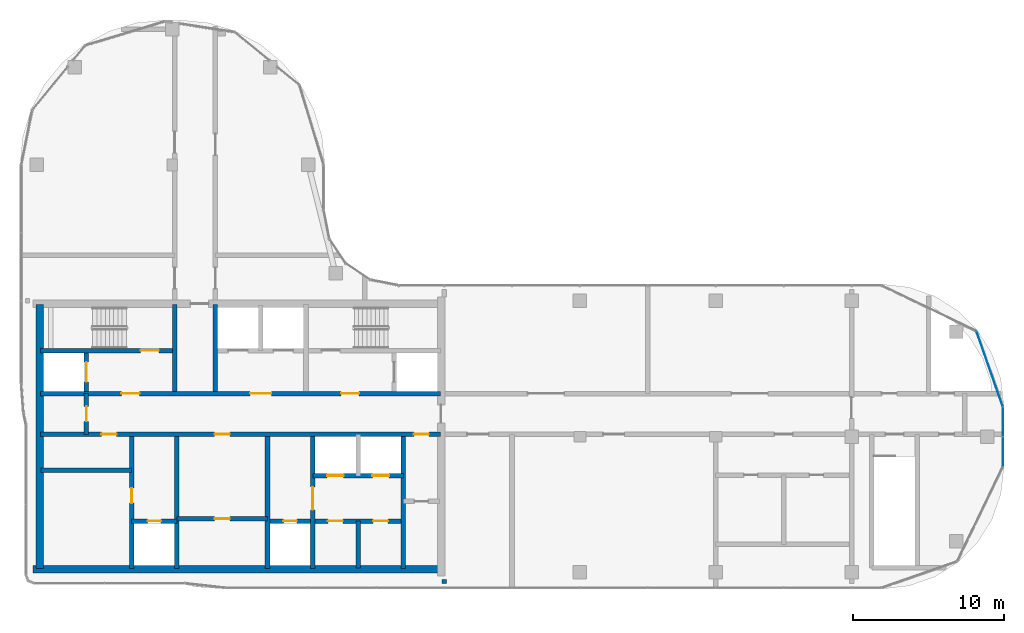
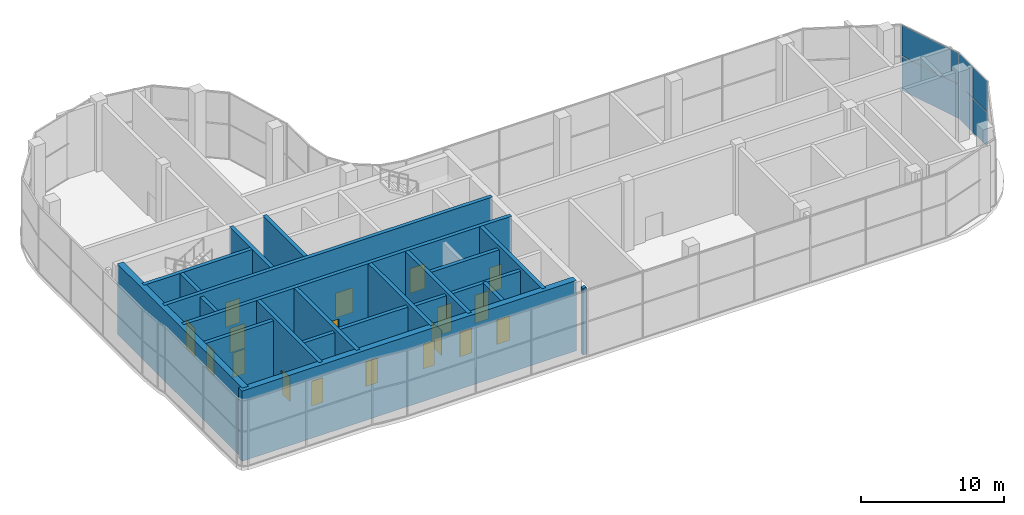
# One storey, part 16 of 21: 21 walls, 18 doors, 6 plates, 18 openings, 2 elements without a shape of their own.
"""IFC4 building model written with IfcOpenShell, lengths in metres."""

from ifc_helpers import new_model, si_unit, direction, frame, frame_2d, origin, origin_2d, place, context, subcontext, project, spatial, rectangle, extrude, material, layer, layer_set, type_object, element, fill, aggregate, save


model = new_model("IFC4")

# Units and contexts
model_context = context("Model", 3, precision=1e-05, world=origin(), true_north=direction((0.0, 1.0)))
body_context = subcontext(model_context, "Body", "Model", "MODEL_VIEW")
ifc_project = project(units=[si_unit("LENGTHUNIT", "METRE"), si_unit("AREAUNIT", "SQUARE_METRE"), si_unit("VOLUMEUNIT", "CUBIC_METRE"), si_unit("PLANEANGLEUNIT", "RADIAN"), si_unit("MASSUNIT", "GRAM", prefix="KILO")], contexts=[model_context])

# Site, building, storey
site_placement = place(None, origin())
site = spatial("IfcSite", under=ifc_project, at=site_placement, CompositionType="ELEMENT")
building_placement = place(site_placement, origin())
building = spatial("IfcBuilding", under=site, at=building_placement, Name="Ogive Portal Towers", CompositionType="ELEMENT")
storey_placement = place(building_placement, frame((0.0, 0.0, 266.89990234375)))
storey = spatial("IfcBuildingStorey", under=building, at=storey_placement, Name="L65", CompositionType="ELEMENT", Elevation=266.89990234375)

# Curtain wall, plates
ifc_material_1 = material(Name="Glass, clear low-iron insulated glazing", Category="glass")
curtain_wall_type = type_object("IfcCurtainWallType", Name="CW OBSERVATION WALL", PredefinedType="NOTDEFINED", material=ifc_material_1)
curtain_wall_1_placement = place(storey_placement, origin())
curtain_wall_1 = element("IfcCurtainWall", 1, at=curtain_wall_1_placement, inside=storey, type_object=curtain_wall_type, Name="A:L65:f08:cw0", PredefinedType="NOTDEFINED")
ifc_layer_1 = layer(ifc_material_1, 0.028076171875)
ifc_layer_set_1 = layer_set([ifc_layer_1], Name="CW PANEL IGU 28")
plate_type = type_object("IfcPlateType", Name="CW PANEL IGU 28", PredefinedType="CURTAIN_PANEL", material=ifc_layer_set_1)
plate_1_placement = place(storey_placement, frame((95.52001953125, 29.509033203125, 0.06005859375), z_axis=(0.0, 0.0, 1.0), x_axis=(0.0, 1.0, 0.0)))
plate_1 = element("IfcPlate", 2, at=plate_1_placement, type_object=plate_type, Name="panel", PredefinedType="CURTAIN_PANEL", context=body_context, shape_type="SweptSolid", body=[
    extrude(rectangle(XDim=1.921630859375, YDim=0.028076171875, at=origin_2d()), origin(), (0.0, 0.0, 1.0), 2.909912109375),
])
plate_2_placement = place(storey_placement, frame((95.52001953125, 29.509033203125, 3.0302734375), z_axis=(0.0, 0.0, 1.0), x_axis=(0.0, 1.0, 0.0)))
plate_2 = element("IfcPlate", 3, at=plate_2_placement, type_object=plate_type, Name="panel", PredefinedType="CURTAIN_PANEL", context=body_context, shape_type="SweptSolid", body=[
    extrude(rectangle(XDim=1.921630859375, YDim=0.028076171875, at=origin_2d()), origin(), (0.0, 0.0, 1.0), 2.610107421875),
])
plate_3_placement = place(storey_placement, frame((95.52001953125, 31.4931640625, 0.06005859375), z_axis=(0.0, 0.0, 1.0), x_axis=(0.0, 1.0, 0.0)))
plate_3 = element("IfcPlate", 4, at=plate_3_placement, type_object=plate_type, Name="panel", PredefinedType="CURTAIN_PANEL", context=body_context, shape_type="SweptSolid", body=[
    extrude(rectangle(XDim=1.926513671875, YDim=0.028076171875, at=origin_2d()), origin(), (0.0, 0.0, 1.0), 2.909912109375),
])
plate_4_placement = place(storey_placement, frame((95.52001953125, 31.4931640625, 3.0302734375), z_axis=(0.0, 0.0, 1.0), x_axis=(0.0, 1.0, 0.0)))
plate_4 = element("IfcPlate", 5, at=plate_4_placement, type_object=plate_type, Name="panel", PredefinedType="CURTAIN_PANEL", context=body_context, shape_type="SweptSolid", body=[
    extrude(rectangle(XDim=1.926513671875, YDim=0.028076171875, at=origin_2d()), origin(), (0.0, 0.0, 1.0), 2.610107421875),
])
aggregate(curtain_wall_1, [plate_1, plate_2, plate_3, plate_4])

curtain_wall_2_placement = place(storey_placement, origin())
curtain_wall_2 = element("IfcCurtainWall", 6, at=curtain_wall_2_placement, inside=storey, type_object=curtain_wall_type, Name="A:L65:f09:cwa", PredefinedType="NOTDEFINED")
plate_5_placement = place(storey_placement, frame((94.64404296875, 34.989501953125, 0.06005859375), z_axis=(0.0, 0.0, 1.0), x_axis=(-0.33027906196, 0.943883330307, 0.0)))
plate_5 = element("IfcPlate", 7, at=plate_5_placement, type_object=plate_type, Name="panel", PredefinedType="CURTAIN_PANEL", context=body_context, shape_type="SweptSolid", body=[
    extrude(rectangle(XDim=5.243896484375, YDim=0.028076171875, at=origin_2d()), origin(), (0.0, 0.0, 1.0), 2.909912109375),
])
plate_6_placement = place(storey_placement, frame((94.64404296875, 34.989501953125, 3.0302734375), z_axis=(0.0, 0.0, 1.0), x_axis=(-0.33027906196, 0.943883330307, 0.0)))
plate_6 = element("IfcPlate", 8, at=plate_6_placement, type_object=plate_type, Name="panel", PredefinedType="CURTAIN_PANEL", context=body_context, shape_type="SweptSolid", body=[
    extrude(rectangle(XDim=5.243896484375, YDim=0.028076171875, at=origin_2d()), origin(), (0.0, 0.0, 1.0), 2.610107421875),
])
aggregate(curtain_wall_2, [plate_5, plate_6])

# Wall, opening, door
ifc_material_2 = material(Name="Concrete C60/75", Category="concrete")
ifc_layer_2 = layer(ifc_material_2, 0.300048828125)
ifc_layer_set_2 = layer_set([ifc_layer_2], Name="CORE WALL 300 C60")
wall_type_1 = type_object("IfcWallType", Name="CORE WALL 300 C60", PredefinedType="SHEAR", material=ifc_layer_set_2)
wall_1_placement = place(storey_placement, frame((37.800048828125, 21.75, 0.0), z_axis=(0.0, 0.0, 1.0), x_axis=(0.0, 1.0, 0.0)))
wall_1 = element("IfcWall", 9, at=wall_1_placement, inside=storey, type_object=wall_type_1, Name="Core wall X1 L65", PredefinedType="SHEAR", context=body_context, shape_type="SweptSolid", body=[
    extrude(rectangle(XDim=8.75, YDim=0.300048828125, at=frame_2d((4.375, 0.0))), origin(), (0.0, 0.0, 1.0), 6.0),
])
opening_1_placement = place(wall_1_placement, frame((4.337890625, 0.0, 0.0)))
opening_1 = element("IfcOpeningElement", 10, at=opening_1_placement, cuts=wall_1, Name="Opening D31-020", PredefinedType="OPENING", context=body_context, shape_type="SweptSolid", body=[
    extrude(rectangle(XDim=1.0, YDim=2.10009765625, at=frame_2d((0.5, 1.050048828125))), frame((0.0, 0.16015625, 0.0), z_axis=(0.0, -1.0, 0.0), x_axis=(1.0, 0.0, 0.0)), (0.0, 0.0, 1.0), 0.320068359375),
])
ifc_material_3 = material(Name="Steel fire door", Category="steel")
door_type_1 = type_object("IfcDoorType", Name="DT-SWING-1000x2100-FD90S", OperationType="SINGLE_SWING_LEFT", PredefinedType="DOOR", material=ifc_material_3)
door_1_placement = place(opening_1_placement, origin())
door_1 = element("IfcDoor", 11, at=door_1_placement, inside=storey, type_object=door_type_1, Name="Door D31-020", OperationType="SINGLE_SWING_RIGHT", OverallHeight=2.10009765625, OverallWidth=1.0, PredefinedType="DOOR", context=body_context, shape_type="SweptSolid", body=[
    extrude(rectangle(XDim=1.0, YDim=2.10009765625, at=frame_2d((0.5, 1.050048828125))), frame((0.0, 0.02490234375, 0.0), z_axis=(0.0, -1.0, 0.0), x_axis=(1.0, 0.0, 0.0)), (0.0, 0.0, 1.0), 0.050048828125),
])
fill(opening_1, door_1)

# Walls
for number, where, z_axis, x_axis, name in (
    (12, (40.800048828125, 21.75, 0.0), (0.0, 0.0, 1.0), (0.0, 1.0, 0.0), "Core wall X2 L65"),
    (13, (46.800048828125, 21.75, 0.0), (0.0, 0.0, 1.0), (0.0, 1.0, 0.0), "Core wall X3 L65"),
):
    element("IfcWall", number, at=place(storey_placement, frame(where, z_axis=z_axis, x_axis=x_axis)), inside=storey, type_object=wall_type_1, Name=name, PredefinedType="SHEAR", context=body_context, shape_type="SweptSolid", body=[
        extrude(rectangle(XDim=8.75, YDim=0.300048828125, at=frame_2d((4.375, 0.0))), origin(), (0.0, 0.0, 1.0), 6.0),
    ])

# Wall, opening, door
wall_2_placement = place(storey_placement, frame((49.800048828125, 21.75, 0.0), z_axis=(0.0, 0.0, 1.0), x_axis=(0.0, 1.0, 0.0)))
wall_2 = element("IfcWall", 14, at=wall_2_placement, inside=storey, type_object=wall_type_1, Name="Core wall X4 L65", PredefinedType="SHEAR", context=body_context, shape_type="SweptSolid", body=[
    extrude(rectangle(XDim=8.75, YDim=0.300048828125, at=frame_2d((4.375, 0.0))), origin(), (0.0, 0.0, 1.0), 6.0),
])
opening_2_placement = place(wall_2_placement, frame((3.89990234375, 0.0, 0.0)))
opening_2 = element("IfcOpeningElement", 15, at=opening_2_placement, cuts=wall_2, Name="Opening D31-001", PredefinedType="OPENING", context=body_context, shape_type="SweptSolid", body=[
    extrude(rectangle(XDim=1.5, YDim=2.10009765625, at=frame_2d((0.75, 1.050048828125))), frame((0.0, 0.16015625, 0.0), z_axis=(0.0, -1.0, 0.0), x_axis=(1.0, 0.0, 0.0)), (0.0, 0.0, 1.0), 0.320068359375),
])
door_type_2 = type_object("IfcDoorType", Name="DT-SWING-1500x2100-FD90S", OperationType="SINGLE_SWING_LEFT", PredefinedType="DOOR", material=ifc_material_3)
door_2_placement = place(opening_2_placement, origin())
door_2 = element("IfcDoor", 16, at=door_2_placement, inside=storey, type_object=door_type_2, Name="Door D31-001", OperationType="SINGLE_SWING_LEFT", OverallHeight=2.10009765625, OverallWidth=1.5, PredefinedType="DOOR", context=body_context, shape_type="SweptSolid", body=[
    extrude(rectangle(XDim=1.5, YDim=2.10009765625, at=frame_2d((0.75, 1.050048828125))), frame((0.0, 0.02490234375, 0.0), z_axis=(0.0, -1.0, 0.0), x_axis=(1.0, 0.0, 0.0)), (0.0, 0.0, 1.0), 0.050048828125),
])
fill(opening_2, door_2)

# Wall
wall_3_placement = place(storey_placement, frame((55.800048828125, 21.75, 0.0), z_axis=(0.0, 0.0, 1.0), x_axis=(0.0, 1.0, 0.0)))
element("IfcWall", 17, at=wall_3_placement, inside=storey, type_object=wall_type_1, Name="Core wall X5 L65", PredefinedType="SHEAR", context=body_context, shape_type="SweptSolid", body=[
    extrude(rectangle(XDim=8.75, YDim=0.300048828125, at=frame_2d((4.375, 0.0))), origin(), (0.0, 0.0, 1.0), 6.0),
])

# Wall, openings, doors
wall_4_placement = place(storey_placement, frame((31.75, 30.64990234375, 0.0), z_axis=(0.0, 0.0, 1.0), x_axis=(1.0, 0.0, 0.0)))
wall_4 = element("IfcWall", 18, at=wall_4_placement, inside=storey, type_object=wall_type_1, Name="Core wall Y1 L65", PredefinedType="SHEAR", context=body_context, shape_type="SweptSolid", body=[
    extrude(rectangle(XDim=26.5, YDim=0.300048828125, at=frame_2d((13.25, 0.0))), origin(), (0.0, 0.0, 1.0), 6.0),
])
opening_3_placement = place(wall_4_placement, frame((24.75, 0.0, 0.0)))
opening_3 = element("IfcOpeningElement", 19, at=opening_3_placement, cuts=wall_4, Name="Opening D31-009", PredefinedType="OPENING", context=body_context, shape_type="SweptSolid", body=[
    extrude(rectangle(XDim=1.0, YDim=2.10009765625, at=frame_2d((0.5, 1.050048828125))), frame((0.0, 0.16015625, 0.0), z_axis=(0.0, -1.0, 0.0), x_axis=(1.0, 0.0, 0.0)), (0.0, 0.0, 1.0), 0.320068359375),
])
opening_4_placement = place(wall_4_placement, frame((4.050048828125, 0.0, 0.0)))
opening_4 = element("IfcOpeningElement", 20, at=opening_4_placement, cuts=wall_4, Name="Opening D31-019", PredefinedType="OPENING", context=body_context, shape_type="SweptSolid", body=[
    extrude(rectangle(XDim=1.0, YDim=2.10009765625, at=frame_2d((0.5, 1.050048828125))), frame((0.0, 0.16015625, 0.0), z_axis=(0.0, -1.0, 0.0), x_axis=(1.0, 0.0, 0.0)), (0.0, 0.0, 1.0), 0.320068359375),
])
opening_5_placement = place(wall_4_placement, frame((11.550048828125, 0.0, 0.0)))
opening_5 = element("IfcOpeningElement", 21, at=opening_5_placement, cuts=wall_4, Name="Opening D31-021", PredefinedType="OPENING", context=body_context, shape_type="SweptSolid", body=[
    extrude(rectangle(XDim=1.0, YDim=2.10009765625, at=frame_2d((0.5, 1.050048828125))), frame((0.0, 0.16015625, 0.0), z_axis=(0.0, -1.0, 0.0), x_axis=(1.0, 0.0, 0.0)), (0.0, 0.0, 1.0), 0.320068359375),
])
door_3_placement = place(opening_3_placement, origin())
door_3 = element("IfcDoor", 22, at=door_3_placement, inside=storey, type_object=door_type_1, Name="Door D31-009", OperationType="SINGLE_SWING_LEFT", OverallHeight=2.10009765625, OverallWidth=1.0, PredefinedType="DOOR", context=body_context, shape_type="SweptSolid", body=[
    extrude(rectangle(XDim=1.0, YDim=2.10009765625, at=frame_2d((0.5, 1.050048828125))), frame((0.0, 0.02490234375, 0.0), z_axis=(0.0, -1.0, 0.0), x_axis=(1.0, 0.0, 0.0)), (0.0, 0.0, 1.0), 0.050048828125),
])
fill(opening_3, door_3)
door_4_placement = place(opening_4_placement, origin())
door_4 = element("IfcDoor", 23, at=door_4_placement, inside=storey, type_object=door_type_1, Name="Riser access door D31-019", OperationType="SINGLE_SWING_LEFT", OverallHeight=2.10009765625, OverallWidth=1.0, PredefinedType="DOOR", context=body_context, shape_type="SweptSolid", body=[
    extrude(rectangle(XDim=1.0, YDim=2.10009765625, at=frame_2d((0.5, 1.050048828125))), frame((0.0, 0.02490234375, 0.0), z_axis=(0.0, -1.0, 0.0), x_axis=(1.0, 0.0, 0.0)), (0.0, 0.0, 1.0), 0.050048828125),
])
fill(opening_4, door_4)
door_5_placement = place(opening_5_placement, origin())
door_5 = element("IfcDoor", 24, at=door_5_placement, inside=storey, type_object=door_type_1, Name="Door D31-021", OperationType="SINGLE_SWING_LEFT", OverallHeight=2.10009765625, OverallWidth=1.0, PredefinedType="DOOR", context=body_context, shape_type="SweptSolid", body=[
    extrude(rectangle(XDim=1.0, YDim=2.10009765625, at=frame_2d((0.5, 1.050048828125))), frame((0.0, 0.02490234375, 0.0), z_axis=(0.0, -1.0, 0.0), x_axis=(1.0, 0.0, 0.0)), (0.0, 0.0, 1.0), 0.050048828125),
])
fill(opening_5, door_5)

wall_5_placement = place(storey_placement, frame((31.75, 33.35009765625, 0.0), z_axis=(0.0, 0.0, 1.0), x_axis=(1.0, 0.0, 0.0)))
wall_5 = element("IfcWall", 25, at=wall_5_placement, inside=storey, type_object=wall_type_1, Name="Core wall Y2 L65", PredefinedType="SHEAR", context=body_context, shape_type="SweptSolid", body=[
    extrude(rectangle(XDim=26.5, YDim=0.300048828125, at=frame_2d((13.25, 0.0))), origin(), (0.0, 0.0, 1.0), 6.0),
])
opening_6_placement = place(wall_5_placement, frame((13.89990234375, 0.0, 0.0)))
opening_6 = element("IfcOpeningElement", 26, at=opening_6_placement, cuts=wall_5, Name="Opening D31-002", PredefinedType="OPENING", context=body_context, shape_type="SweptSolid", body=[
    extrude(rectangle(XDim=1.39990234375, YDim=2.10009765625, at=frame_2d((0.699951171875, 1.050048828125))), frame((0.0, 0.16015625, 0.0), z_axis=(0.0, -1.0, 0.0), x_axis=(1.0, 0.0, 0.0)), (0.0, 0.0, 1.0), 0.320068359375),
])
opening_7_placement = place(wall_5_placement, frame((5.375, 0.0, 0.0)))
opening_7 = element("IfcOpeningElement", 27, at=opening_7_placement, cuts=wall_5, Name="Opening D31-003", PredefinedType="OPENING", context=body_context, shape_type="SweptSolid", body=[
    extrude(rectangle(XDim=1.199951171875, YDim=2.10009765625, at=frame_2d((0.60009765625, 1.050048828125))), frame((0.0, 0.16015625, 0.0), z_axis=(0.0, -1.0, 0.0), x_axis=(1.0, 0.0, 0.0)), (0.0, 0.0, 1.0), 0.320068359375),
])
opening_8_placement = place(wall_5_placement, frame((19.925048828125, 0.0, 0.0)))
opening_8 = element("IfcOpeningElement", 28, at=opening_8_placement, cuts=wall_5, Name="Opening D31-004", PredefinedType="OPENING", context=body_context, shape_type="SweptSolid", body=[
    extrude(rectangle(XDim=1.199951171875, YDim=2.10009765625, at=frame_2d((0.60009765625, 1.050048828125))), frame((0.0, 0.16015625, 0.0), z_axis=(0.0, -1.0, 0.0), x_axis=(1.0, 0.0, 0.0)), (0.0, 0.0, 1.0), 0.320068359375),
])
door_type_3 = type_object("IfcDoorType", Name="DT-SWING-1200x2100-FD90S", OperationType="SINGLE_SWING_LEFT", PredefinedType="DOOR", material=ifc_material_3)
door_6_placement = place(opening_7_placement, origin())
door_6 = element("IfcDoor", 29, at=door_6_placement, inside=storey, type_object=door_type_3, Name="Door D31-003", OperationType="SINGLE_SWING_LEFT", OverallHeight=2.10009765625, OverallWidth=1.199951171875, PredefinedType="DOOR", context=body_context, shape_type="SweptSolid", body=[
    extrude(rectangle(XDim=1.199951171875, YDim=2.10009765625, at=frame_2d((0.60009765625, 1.050048828125))), frame((0.0, 0.02490234375, 0.0), z_axis=(0.0, -1.0, 0.0), x_axis=(1.0, 0.0, 0.0)), (0.0, 0.0, 1.0), 0.050048828125),
])
fill(opening_7, door_6)
door_7_placement = place(opening_8_placement, origin())
door_7 = element("IfcDoor", 30, at=door_7_placement, inside=storey, type_object=door_type_3, Name="Door D31-004", OperationType="SINGLE_SWING_RIGHT", OverallHeight=2.10009765625, OverallWidth=1.199951171875, PredefinedType="DOOR", context=body_context, shape_type="SweptSolid", body=[
    extrude(rectangle(XDim=1.199951171875, YDim=2.10009765625, at=frame_2d((0.60009765625, 1.050048828125))), frame((0.0, 0.02490234375, 0.0), z_axis=(0.0, -1.0, 0.0), x_axis=(1.0, 0.0, 0.0)), (0.0, 0.0, 1.0), 0.050048828125),
])
fill(opening_8, door_7)
door_type_4 = type_object("IfcDoorType", Name="DT-SWING-1400x2100-FD90S", OperationType="SINGLE_SWING_LEFT", PredefinedType="DOOR", material=ifc_material_3)
door_8_placement = place(opening_6_placement, origin())
door_8 = element("IfcDoor", 31, at=door_8_placement, inside=storey, type_object=door_type_4, Name="Door D31-002", OperationType="SINGLE_SWING_RIGHT", OverallHeight=2.10009765625, OverallWidth=1.39990234375, PredefinedType="DOOR", context=body_context, shape_type="SweptSolid", body=[
    extrude(rectangle(XDim=1.39990234375, YDim=2.10009765625, at=frame_2d((0.699951171875, 1.050048828125))), frame((0.0, 0.02490234375, 0.0), z_axis=(0.0, -1.0, 0.0), x_axis=(1.0, 0.0, 0.0)), (0.0, 0.0, 1.0), 0.050048828125),
])
fill(opening_6, door_8)

# Wall, opening, door
wall_6_placement = place(storey_placement, frame((31.75, 36.199951171875, 0.0), z_axis=(0.0, 0.0, 1.0), x_axis=(1.0, 0.0, 0.0)))
wall_6 = element("IfcWall", 32, at=wall_6_placement, inside=storey, type_object=wall_type_1, Name="Core wall Y3a L65", PredefinedType="SHEAR", context=body_context, shape_type="SweptSolid", body=[
    extrude(rectangle(XDim=8.75, YDim=0.300048828125, at=frame_2d((4.375, 0.0))), origin(), (0.0, 0.0, 1.0), 6.0),
])
opening_9_placement = place(wall_6_placement, frame((6.64990234375, 0.0, 0.0)))
opening_9 = element("IfcOpeningElement", 33, at=opening_9_placement, cuts=wall_6, Name="Opening D31-005", PredefinedType="OPENING", context=body_context, shape_type="SweptSolid", body=[
    extrude(rectangle(XDim=1.199951171875, YDim=2.10009765625, at=frame_2d((0.60009765625, 1.050048828125))), frame((0.0, 0.16015625, 0.0), z_axis=(0.0, -1.0, 0.0), x_axis=(1.0, 0.0, 0.0)), (0.0, 0.0, 1.0), 0.320068359375),
])
door_9_placement = place(opening_9_placement, origin())
door_9 = element("IfcDoor", 34, at=door_9_placement, inside=storey, type_object=door_type_3, Name="Door D31-005", OperationType="SINGLE_SWING_RIGHT", OverallHeight=2.10009765625, OverallWidth=1.199951171875, PredefinedType="DOOR", context=body_context, shape_type="SweptSolid", body=[
    extrude(rectangle(XDim=1.199951171875, YDim=2.10009765625, at=frame_2d((0.60009765625, 1.050048828125))), frame((0.0, 0.02490234375, 0.0), z_axis=(0.0, -1.0, 0.0), x_axis=(1.0, 0.0, 0.0)), (0.0, 0.0, 1.0), 0.050048828125),
])
fill(opening_9, door_9)

# Walls
for number, where, z_axis, x_axis, name in (
    (35, (40.64990234375, 33.5, 0.0), (0.0, 0.0, 1.0), (0.0, 1.0, 0.0), "Core wall X6 L65"),
    (36, (43.35009765625, 33.5, 0.0), (0.0, 0.0, 1.0), (0.0, 1.0, 0.0), "Core wall X7 L65"),
):
    element("IfcWall", number, at=place(storey_placement, frame(where, z_axis=z_axis, x_axis=x_axis)), inside=storey, type_object=wall_type_1, Name=name, PredefinedType="SHEAR", context=body_context, shape_type="SweptSolid", body=[
        extrude(rectangle(XDim=5.75, YDim=0.300048828125, at=frame_2d((2.875, 0.0))), origin(), (0.0, 0.0, 1.0), 6.0),
    ])

# Wall, opening, door
wall_7_placement = place(storey_placement, frame((34.800048828125, 33.5, 0.0), z_axis=(0.0, 0.0, 1.0), x_axis=(0.0, 1.0, 0.0)))
wall_7 = element("IfcWall", 37, at=wall_7_placement, inside=storey, type_object=wall_type_1, Name="Core wall X8 L65", PredefinedType="SHEAR", context=body_context, shape_type="SweptSolid", body=[
    extrude(rectangle(XDim=2.550048828125, YDim=0.300048828125, at=frame_2d((1.27490234375, 0.0))), origin(), (0.0, 0.0, 1.0), 6.0),
])
opening_10_placement = place(wall_7_placement, frame((0.625, 0.0, 0.0)))
opening_10 = element("IfcOpeningElement", 38, at=opening_10_placement, cuts=wall_7, Name="Opening D31-017", PredefinedType="OPENING", context=body_context, shape_type="SweptSolid", body=[
    extrude(rectangle(XDim=1.300048828125, YDim=2.39990234375, at=frame_2d((0.64990234375, 1.199951171875))), frame((0.0, 0.16015625, 0.0), z_axis=(0.0, -1.0, 0.0), x_axis=(1.0, 0.0, 0.0)), (0.0, 0.0, 1.0), 0.320068359375),
])
ifc_material_4 = material(Name="Stainless steel", Category="steel")
door_type_5 = type_object("IfcDoorType", Name="DT-LD-1300x2400", OperationType="SLIDING_TO_LEFT", PredefinedType="DOOR", material=ifc_material_4)
door_10_placement = place(opening_10_placement, origin())
door_10 = element("IfcDoor", 39, at=door_10_placement, inside=storey, type_object=door_type_5, Name="Door D31-017", OperationType="SLIDING_TO_LEFT", OverallHeight=2.39990234375, OverallWidth=1.300048828125, PredefinedType="DOOR", context=body_context, shape_type="SweptSolid", body=[
    extrude(rectangle(XDim=1.300048828125, YDim=2.39990234375, at=frame_2d((0.64990234375, 1.199951171875))), frame((0.0, 0.02490234375, 0.0), z_axis=(0.0, -1.0, 0.0), x_axis=(1.0, 0.0, 0.0)), (0.0, 0.0, 1.0), 0.050048828125),
])
fill(opening_10, door_10)

# Walls
ifc_layer_3 = layer(ifc_material_2, 0.5)
ifc_layer_set_3 = layer_set([ifc_layer_3], Name="CORE WALL 500 C60")
wall_type_2 = type_object("IfcWallType", Name="CORE WALL 500 C60", PredefinedType="SHEAR", material=ifc_layer_set_3)
wall_8_placement = place(storey_placement, frame((31.699951171875, 21.75, 0.0), z_axis=(0.0, 0.0, 1.0), x_axis=(0.0, 1.0, 0.0)))
element("IfcWall", 40, at=wall_8_placement, inside=storey, type_object=wall_type_2, Name="Core wall W L65", PredefinedType="SHEAR", context=body_context, shape_type="SweptSolid", body=[
    extrude(rectangle(XDim=17.5, YDim=0.5, at=frame_2d((8.75, 0.0))), origin(), (0.0, 0.0, 1.0), 6.0),
])
wall_9_placement = place(storey_placement, frame((31.25, 21.699951171875, 0.0), z_axis=(0.0, 0.0, 1.0), x_axis=(1.0, 0.0, 0.0)))
element("IfcWall", 41, at=wall_9_placement, inside=storey, type_object=wall_type_2, Name="Core wall S L65", PredefinedType="SHEAR", context=body_context, shape_type="SweptSolid", body=[
    extrude(rectangle(XDim=27.0, YDim=0.5, at=frame_2d((13.5, 0.0))), origin(), (0.0, 0.0, 1.0), 6.0),
])

# Wall, opening, door
ifc_material_5 = material(Name="Gypsum board partition on steel studs", Category="steel")
ifc_layer_4 = layer(ifc_material_5, 0.300048828125)
ifc_layer_set_4 = layer_set([ifc_layer_4], Name="WT-PART-300")
wall_type_3 = type_object("IfcWallType", Name="WT-PART-300", PredefinedType="PARTITIONING", material=ifc_layer_set_4)
wall_10_placement = place(storey_placement, frame((37.800048828125, 24.89990234375, 0.0), z_axis=(0.0, 0.0, 1.0), x_axis=(1.0, 0.0, 0.0)))
wall_10 = element("IfcWall", 42, at=wall_10_placement, inside=storey, type_object=wall_type_3, Name="Wall pw:001:L65", PredefinedType="PARTITIONING", context=body_context, shape_type="SweptSolid", body=[
    extrude(rectangle(XDim=3.0, YDim=0.300048828125, at=frame_2d((1.5, 0.0))), origin(), (0.0, 0.0, 1.0), 5.7001953125),
])
opening_11_placement = place(wall_10_placement, frame((1.050048828125, 0.0, 0.0)))
opening_11 = element("IfcOpeningElement", 43, at=opening_11_placement, cuts=wall_10, Name="Opening D31-007", PredefinedType="OPENING", context=body_context, shape_type="SweptSolid", body=[
    extrude(rectangle(XDim=0.89990234375, YDim=2.10009765625, at=frame_2d((0.449951171875, 1.050048828125))), frame((0.0, 0.16015625, 0.0), z_axis=(0.0, -1.0, 0.0), x_axis=(1.0, 0.0, 0.0)), (0.0, 0.0, 1.0), 0.320068359375),
])
door_type_6 = type_object("IfcDoorType", Name="DT-SWING-900x2100-FD60S", OperationType="SINGLE_SWING_LEFT", PredefinedType="DOOR", material=ifc_material_3)
door_11_placement = place(opening_11_placement, origin())
door_11 = element("IfcDoor", 44, at=door_11_placement, inside=storey, type_object=door_type_6, Name="Riser access door D31-007", OperationType="SINGLE_SWING_LEFT", OverallHeight=2.10009765625, OverallWidth=0.89990234375, PredefinedType="DOOR", context=body_context, shape_type="SweptSolid", body=[
    extrude(rectangle(XDim=0.89990234375, YDim=2.10009765625, at=frame_2d((0.449951171875, 1.050048828125))), frame((0.0, 0.02490234375, 0.0), z_axis=(0.0, -1.0, 0.0), x_axis=(1.0, 0.0, 0.0)), (0.0, 0.0, 1.0), 0.050048828125),
])
fill(opening_11, door_11)

# Wall, openings, doors
wall_11_placement = place(storey_placement, frame((46.800048828125, 24.89990234375, 0.0), z_axis=(0.0, 0.0, 1.0), x_axis=(1.0, 0.0, 0.0)))
wall_11 = element("IfcWall", 45, at=wall_11_placement, inside=storey, type_object=wall_type_3, Name="Wall pw:002:L65", PredefinedType="PARTITIONING", context=body_context, shape_type="SweptSolid", body=[
    extrude(rectangle(XDim=9.0, YDim=0.300048828125, at=frame_2d((4.5, 0.0))), origin(), (0.0, 0.0, 1.0), 5.7001953125),
])
opening_12_placement = place(wall_11_placement, frame((1.050048828125, 0.0, 0.0)))
opening_12 = element("IfcOpeningElement", 46, at=opening_12_placement, cuts=wall_11, Name="Opening D31-008", PredefinedType="OPENING", context=body_context, shape_type="SweptSolid", body=[
    extrude(rectangle(XDim=0.89990234375, YDim=2.10009765625, at=frame_2d((0.449951171875, 1.050048828125))), frame((0.0, 0.16015625, 0.0), z_axis=(0.0, -1.0, 0.0), x_axis=(1.0, 0.0, 0.0)), (0.0, 0.0, 1.0), 0.320068359375),
])
opening_13_placement = place(wall_11_placement, frame((4.0, 0.0, 0.0)))
opening_13 = element("IfcOpeningElement", 47, at=opening_13_placement, cuts=wall_11, Name="Opening D31-023", PredefinedType="OPENING", context=body_context, shape_type="SweptSolid", body=[
    extrude(rectangle(XDim=1.0, YDim=2.10009765625, at=frame_2d((0.5, 1.050048828125))), frame((0.0, 0.16015625, 0.0), z_axis=(0.0, -1.0, 0.0), x_axis=(1.0, 0.0, 0.0)), (0.0, 0.0, 1.0), 0.320068359375),
])
opening_14_placement = place(wall_11_placement, frame((7.0, 0.0, 0.0)))
opening_14 = element("IfcOpeningElement", 48, at=opening_14_placement, cuts=wall_11, Name="Opening D31-024", PredefinedType="OPENING", context=body_context, shape_type="SweptSolid", body=[
    extrude(rectangle(XDim=1.0, YDim=2.10009765625, at=frame_2d((0.5, 1.050048828125))), frame((0.0, 0.16015625, 0.0), z_axis=(0.0, -1.0, 0.0), x_axis=(1.0, 0.0, 0.0)), (0.0, 0.0, 1.0), 0.320068359375),
])
door_type_7 = type_object("IfcDoorType", Name="DT-SWING-1000x2100-FD60S", OperationType="SINGLE_SWING_LEFT", PredefinedType="DOOR", material=ifc_material_3)
door_12_placement = place(opening_13_placement, origin())
door_12 = element("IfcDoor", 49, at=door_12_placement, inside=storey, type_object=door_type_7, Name="Door D31-023", OperationType="SINGLE_SWING_LEFT", OverallHeight=2.10009765625, OverallWidth=1.0, PredefinedType="DOOR", context=body_context, shape_type="SweptSolid", body=[
    extrude(rectangle(XDim=1.0, YDim=2.10009765625, at=frame_2d((0.5, 1.050048828125))), frame((0.0, 0.02490234375, 0.0), z_axis=(0.0, -1.0, 0.0), x_axis=(1.0, 0.0, 0.0)), (0.0, 0.0, 1.0), 0.050048828125),
])
fill(opening_13, door_12)
door_13_placement = place(opening_14_placement, origin())
door_13 = element("IfcDoor", 50, at=door_13_placement, inside=storey, type_object=door_type_7, Name="Door D31-024", OperationType="SINGLE_SWING_RIGHT", OverallHeight=2.10009765625, OverallWidth=1.0, PredefinedType="DOOR", context=body_context, shape_type="SweptSolid", body=[
    extrude(rectangle(XDim=1.0, YDim=2.10009765625, at=frame_2d((0.5, 1.050048828125))), frame((0.0, 0.02490234375, 0.0), z_axis=(0.0, -1.0, 0.0), x_axis=(1.0, 0.0, 0.0)), (0.0, 0.0, 1.0), 0.050048828125),
])
fill(opening_14, door_13)
door_14_placement = place(opening_12_placement, origin())
door_14 = element("IfcDoor", 51, at=door_14_placement, inside=storey, type_object=door_type_6, Name="Riser access door D31-008", OperationType="SINGLE_SWING_RIGHT", OverallHeight=2.10009765625, OverallWidth=0.89990234375, PredefinedType="DOOR", context=body_context, shape_type="SweptSolid", body=[
    extrude(rectangle(XDim=0.89990234375, YDim=2.10009765625, at=frame_2d((0.449951171875, 1.050048828125))), frame((0.0, 0.02490234375, 0.0), z_axis=(0.0, -1.0, 0.0), x_axis=(1.0, 0.0, 0.0)), (0.0, 0.0, 1.0), 0.050048828125),
])
fill(opening_12, door_14)

# Wall, opening, door
wall_12_placement = place(storey_placement, frame((40.800048828125, 25.050048828125, 0.0), z_axis=(0.0, 0.0, 1.0), x_axis=(1.0, 0.0, 0.0)))
wall_12 = element("IfcWall", 52, at=wall_12_placement, inside=storey, type_object=wall_type_3, Name="Wall pw:003:L65", PredefinedType="PARTITIONING", context=body_context, shape_type="SweptSolid", body=[
    extrude(rectangle(XDim=6.0, YDim=0.300048828125, at=frame_2d((3.0, 0.0))), origin(), (0.0, 0.0, 1.0), 5.7001953125),
])
opening_15_placement = place(wall_12_placement, frame((2.5, 0.0, 0.0)))
opening_15 = element("IfcOpeningElement", 53, at=opening_15_placement, cuts=wall_12, Name="Opening D31-022", PredefinedType="OPENING", context=body_context, shape_type="SweptSolid", body=[
    extrude(rectangle(XDim=1.0, YDim=2.10009765625, at=frame_2d((0.5, 1.050048828125))), frame((0.0, 0.16015625, 0.0), z_axis=(0.0, -1.0, 0.0), x_axis=(1.0, 0.0, 0.0)), (0.0, 0.0, 1.0), 0.320068359375),
])
door_15_placement = place(opening_15_placement, origin())
door_15 = element("IfcDoor", 54, at=door_15_placement, inside=storey, type_object=door_type_7, Name="Door D31-022", OperationType="SINGLE_SWING_RIGHT", OverallHeight=2.10009765625, OverallWidth=1.0, PredefinedType="DOOR", context=body_context, shape_type="SweptSolid", body=[
    extrude(rectangle(XDim=1.0, YDim=2.10009765625, at=frame_2d((0.5, 1.050048828125))), frame((0.0, 0.02490234375, 0.0), z_axis=(0.0, -1.0, 0.0), x_axis=(1.0, 0.0, 0.0)), (0.0, 0.0, 1.0), 0.050048828125),
])
fill(opening_15, door_15)

# Walls
wall_13_placement = place(storey_placement, frame((31.800048828125, 28.277099609375, 0.0), z_axis=(0.0, 0.0, 1.0), x_axis=(1.0, 0.0, 0.0)))
element("IfcWall", 55, at=wall_13_placement, inside=storey, type_object=wall_type_3, Name="Wall pw:006:L65", PredefinedType="PARTITIONING", context=body_context, shape_type="SweptSolid", body=[
    extrude(rectangle(XDim=6.0, YDim=0.300048828125, at=frame_2d((3.0, 0.0))), origin(), (0.0, 0.0, 1.0), 5.7001953125),
])
wall_14_placement = place(storey_placement, frame((52.800048828125, 21.800048828125, 0.0), z_axis=(0.0, 0.0, 1.0), x_axis=(0.0, 1.0, 0.0)))
element("IfcWall", 56, at=wall_14_placement, inside=storey, type_object=wall_type_3, Name="Wall pw:009:L65", PredefinedType="PARTITIONING", context=body_context, shape_type="SweptSolid", body=[
    extrude(rectangle(XDim=3.099853515625, YDim=0.300048828125, at=frame_2d((1.5498046875, 0.0))), origin(), (0.0, 0.0, 1.0), 5.7001953125),
])
ifc_layer_5 = layer(ifc_material_5, 0.300048828125)
ifc_layer_set_5 = layer_set([ifc_layer_5], Name="WT-PART-300-EI 60")
wall_type_4 = type_object("IfcWallType", Name="WT-PART-300-EI 60", PredefinedType="PARTITIONING", material=ifc_layer_set_5)
wall_15_placement = place(storey_placement, frame((58.5, 20.75, 0.0), z_axis=(0.0, 0.0, 1.0), x_axis=(0.0, 1.0, 0.0)))
element("IfcWall", 57, at=wall_15_placement, inside=storey, type_object=wall_type_4, Name="Wall L65:w016", PredefinedType="PARTITIONING", context=body_context, shape_type="SweptSolid", body=[
    extrude(rectangle(XDim=0.280029296875, YDim=0.300048828125, at=frame_2d((0.14013671875, 0.0))), origin(), (0.0, 0.0, 1.0), 5.7001953125),
])

# Wall, openings, doors
ifc_material_6 = material(Name="Concrete C40/50", Category="concrete")
ifc_layer_6 = layer(ifc_material_6, 0.300048828125)
ifc_layer_set_6 = layer_set([ifc_layer_6], Name="WT-SHAFT-300")
wall_type_5 = type_object("IfcWallType", Name="WT-SHAFT-300", PredefinedType="SOLIDWALL", material=ifc_layer_set_6)
wall_16_placement = place(storey_placement, frame((49.800048828125, 27.89990234375, 0.0), z_axis=(0.0, 0.0, 1.0), x_axis=(1.0, 0.0, 0.0)))
wall_16 = element("IfcWall", 58, at=wall_16_placement, inside=storey, type_object=wall_type_5, Name="Wall pw:005:L65", PredefinedType="SOLIDWALL", context=body_context, shape_type="SweptSolid", body=[
    extrude(rectangle(XDim=6.0, YDim=0.300048828125, at=frame_2d((3.0, 0.0))), origin(), (0.0, 0.0, 1.0), 5.7001953125),
])
opening_16_placement = place(wall_16_placement, frame((0.949951171875, 0.0, 0.0)))
opening_16 = element("IfcOpeningElement", 59, at=opening_16_placement, cuts=wall_16, Name="Opening D31-013", PredefinedType="OPENING", context=body_context, shape_type="SweptSolid", body=[
    extrude(rectangle(XDim=1.10009765625, YDim=2.39990234375, at=frame_2d((0.550048828125, 1.199951171875))), frame((0.0, 0.16015625, 0.0), z_axis=(0.0, -1.0, 0.0), x_axis=(1.0, 0.0, 0.0)), (0.0, 0.0, 1.0), 0.320068359375),
])
opening_17_placement = place(wall_16_placement, frame((3.949951171875, 0.0, 0.0)))
opening_17 = element("IfcOpeningElement", 60, at=opening_17_placement, cuts=wall_16, Name="Opening D31-014", PredefinedType="OPENING", context=body_context, shape_type="SweptSolid", body=[
    extrude(rectangle(XDim=1.10009765625, YDim=2.39990234375, at=frame_2d((0.550048828125, 1.199951171875))), frame((0.0, 0.16015625, 0.0), z_axis=(0.0, -1.0, 0.0), x_axis=(1.0, 0.0, 0.0)), (0.0, 0.0, 1.0), 0.320068359375),
])
door_type_8 = type_object("IfcDoorType", Name="DT-LD-1100x2400", OperationType="SLIDING_TO_LEFT", PredefinedType="DOOR", material=ifc_material_4)
door_16_placement = place(opening_16_placement, origin())
door_16 = element("IfcDoor", 61, at=door_16_placement, inside=storey, type_object=door_type_8, Name="Door D31-013", OperationType="SLIDING_TO_LEFT", OverallHeight=2.39990234375, OverallWidth=1.10009765625, PredefinedType="DOOR", context=body_context, shape_type="SweptSolid", body=[
    extrude(rectangle(XDim=1.10009765625, YDim=2.39990234375, at=frame_2d((0.550048828125, 1.199951171875))), frame((0.0, 0.02490234375, 0.0), z_axis=(0.0, -1.0, 0.0), x_axis=(1.0, 0.0, 0.0)), (0.0, 0.0, 1.0), 0.050048828125),
])
fill(opening_16, door_16)
door_17_placement = place(opening_17_placement, origin())
door_17 = element("IfcDoor", 62, at=door_17_placement, inside=storey, type_object=door_type_8, Name="Door D31-014", OperationType="SLIDING_TO_LEFT", OverallHeight=2.39990234375, OverallWidth=1.10009765625, PredefinedType="DOOR", context=body_context, shape_type="SweptSolid", body=[
    extrude(rectangle(XDim=1.10009765625, YDim=2.39990234375, at=frame_2d((0.550048828125, 1.199951171875))), frame((0.0, 0.02490234375, 0.0), z_axis=(0.0, -1.0, 0.0), x_axis=(1.0, 0.0, 0.0)), (0.0, 0.0, 1.0), 0.050048828125),
])
fill(opening_17, door_17)

# Wall, opening, door
wall_17_placement = place(storey_placement, frame((34.800048828125, 30.64990234375, 0.0), z_axis=(0.0, 0.0, 1.0), x_axis=(0.0, 1.0, 0.0)))
wall_17 = element("IfcWall", 63, at=wall_17_placement, inside=storey, type_object=wall_type_5, Name="Wall pw:007:L65", PredefinedType="SOLIDWALL", context=body_context, shape_type="SweptSolid", body=[
    extrude(rectangle(XDim=2.7001953125, YDim=0.300048828125, at=frame_2d((1.35009765625, 0.0))), origin(), (0.0, 0.0, 1.0), 5.7001953125),
])
opening_18_placement = place(wall_17_placement, frame((0.85009765625, 0.0, 0.0)))
opening_18 = element("IfcOpeningElement", 64, at=opening_18_placement, cuts=wall_17, Name="Opening D31-025", PredefinedType="OPENING", context=body_context, shape_type="SweptSolid", body=[
    extrude(rectangle(XDim=1.0, YDim=2.10009765625, at=frame_2d((0.5, 1.050048828125))), frame((0.0, 0.16015625, 0.0), z_axis=(0.0, -1.0, 0.0), x_axis=(1.0, 0.0, 0.0)), (0.0, 0.0, 1.0), 0.320068359375),
])
door_18_placement = place(opening_18_placement, origin())
door_18 = element("IfcDoor", 65, at=door_18_placement, inside=storey, type_object=door_type_1, Name="Door D31-025", OperationType="SINGLE_SWING_LEFT", OverallHeight=2.10009765625, OverallWidth=1.0, PredefinedType="DOOR", context=body_context, shape_type="SweptSolid", body=[
    extrude(rectangle(XDim=1.0, YDim=2.10009765625, at=frame_2d((0.5, 1.050048828125))), frame((0.0, 0.02490234375, 0.0), z_axis=(0.0, -1.0, 0.0), x_axis=(1.0, 0.0, 0.0)), (0.0, 0.0, 1.0), 0.050048828125),
])
fill(opening_18, door_18)

save(model, "model.ifc")
